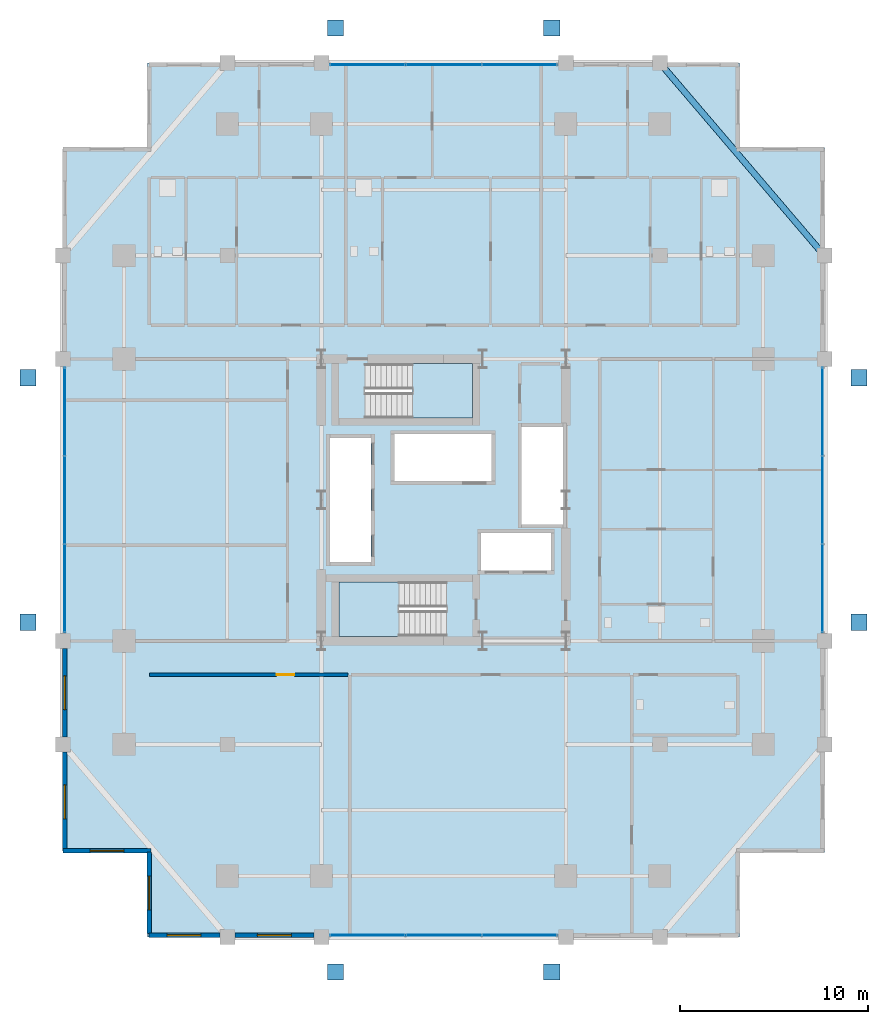
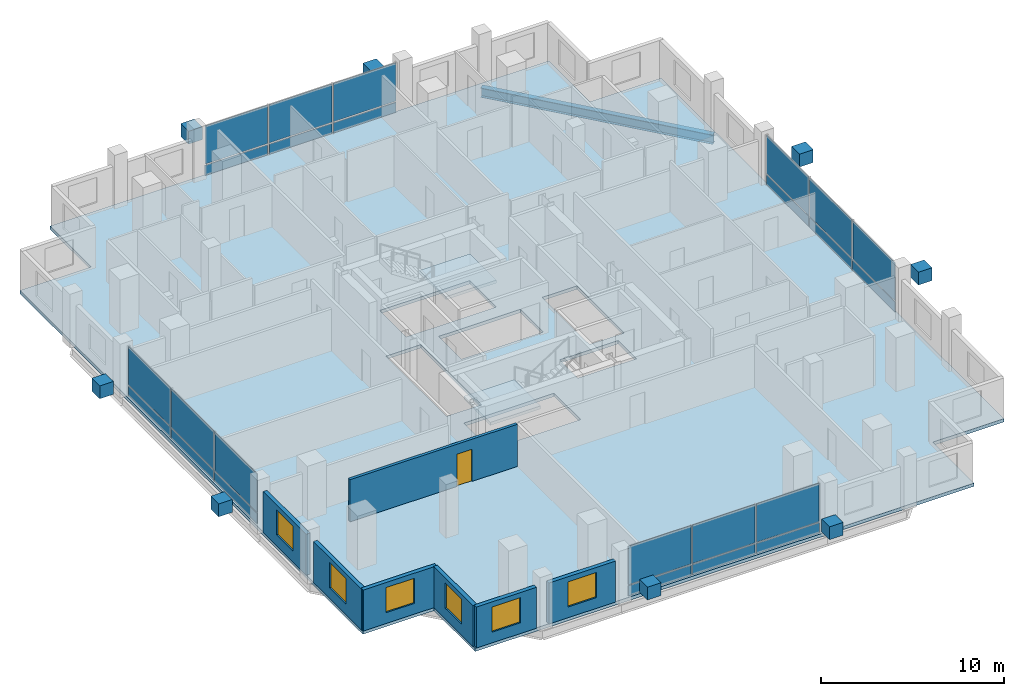
# One storey, part 13 of 19: 32 plates, 7 walls, 6 windows, 3 slabs, 1 beam, 1 door, 7 openings, 6 elements without a shape of their own.
"""IFC4 building model written with IfcOpenShell, lengths in metres."""

from ifc_helpers import new_model, si_unit, direction, frame, frame_2d, origin, origin_2d, place, context, subcontext, project, spatial, polyline, rectangle, i_section, outline, extrude, material, layer, layer_set, material_profile, profile_set, type_object, element, fill, aggregate, save


model = new_model("IFC4")

# Units and contexts
model_context = context("Model", 3, precision=1e-05, world=origin(), true_north=direction((0.0, 1.0)))
body_context = subcontext(model_context, "Body", "Model", "MODEL_VIEW")
ifc_project = project(units=[si_unit("LENGTHUNIT", "METRE"), si_unit("AREAUNIT", "SQUARE_METRE"), si_unit("VOLUMEUNIT", "CUBIC_METRE"), si_unit("PLANEANGLEUNIT", "RADIAN"), si_unit("MASSUNIT", "GRAM", prefix="KILO")], contexts=[model_context])

# Site, building, storey
site_placement = place(None, origin())
site = spatial("IfcSite", under=ifc_project, at=site_placement, CompositionType="ELEMENT")
building_placement = place(site_placement, origin())
building = spatial("IfcBuilding", under=site, at=building_placement, Name="Barlavira Tower and Art Museum", CompositionType="ELEMENT")
storey_placement = place(building_placement, frame((0.0, 0.0, 113.39990234375)))
storey = spatial("IfcBuildingStorey", under=building, at=storey_placement, Name="L28", CompositionType="ELEMENT", Elevation=113.39990234375)

# Beam
ifc_material_1 = material(Name="Steel S355", Category="steel")
ifc_material_profile = material_profile(ifc_material_1, i_section(OverallWidth=0.327880859375, OverallDepth=0.62890625, WebThickness=0.013916015625, FlangeThickness=0.021484375, at=origin_2d()), Name="W610x174.0")
ifc_profile_set = profile_set([ifc_material_profile], Name="Steel S355")
beam_type = type_object("IfcBeamType", Name="Perimeter Spandrel Edge Beam W610x174 Steel S355", PredefinedType="SPANDREL", material=ifc_profile_set)
beam_placement = place(storey_placement, frame((20.25, 13.0, -0.534423828125), z_axis=(-0.649262379928, 0.760564502202, 0.0), x_axis=(-0.760564502202, -0.649262379928, 0.0)))
element("IfcBeam", 1, at=beam_placement, inside=storey, type_object=beam_type, Name="L28 Spandrel 8", PredefinedType="SPANDREL", context=body_context, shape_type="SweptSolid", body=[
    extrude(i_section(OverallWidth=0.327880859375, OverallDepth=0.62890625, WebThickness=0.013916015625, FlangeThickness=0.021484375, at=origin_2d()), origin(), (0.0, 0.0, 1.0), 13.476806640625),
])

# Curtain wall, plates
ifc_material_2 = material(Name="Low-iron coastal laminated glass", Category="glass")
ifc_layer_1 = layer(ifc_material_2, 0.18994140625, Name="Low-iron coastal laminated glass")
ifc_layer_set_1 = layer_set([ifc_layer_1], Name="Low-iron coastal laminated glass")
curtain_wall_type = type_object("IfcCurtainWallType", Name="Pale-Metal Unitised Curtain Wall Zone 2", PredefinedType="NOTDEFINED", material=ifc_layer_set_1)
curtain_wall_1_placement = place(storey_placement, origin())
curtain_wall_1 = element("IfcCurtainWall", 2, at=curtain_wall_1_placement, inside=storey, type_object=curtain_wall_type, Name="L28 Curtain Wall CW2-L28-S-B3", PredefinedType="NOTDEFINED")
ifc_material_3 = material(Name="Pale anodised aluminium", Category="aluminium")
ifc_layer_2 = layer(ifc_material_3, 0.044921875, Name="Pale anodised aluminium")
ifc_layer_set_2 = layer_set([ifc_layer_2], Name="Pale anodised aluminium")
plate_type_1 = type_object("IfcPlateType", Name="Curtain Wall Pale-Metal Spandrel Panel 45", PredefinedType="CURTAIN_PANEL", material=ifc_layer_set_2)
plate_1_placement = place(storey_placement, frame((-4.05322265625, -23.14990234375, 0.0400390625), z_axis=(0.0, 0.0, 1.0), x_axis=(1.0, 0.0, 0.0)))
plate_1 = element("IfcPlate", 3, at=plate_1_placement, type_object=plate_type_1, Name="CW2-L28-S-B3 Spandrel Panel 0", PredefinedType="CURTAIN_PANEL", context=body_context, shape_type="SweptSolid", body=[
    extrude(rectangle(XDim=3.953369140625, YDim=0.044921875, at=origin_2d()), origin(), (0.0, 0.0, 1.0), 0.6640625),
])
plate_2_placement = place(storey_placement, frame((0.0, -23.14990234375, 0.0400390625), z_axis=(0.0, 0.0, 1.0), x_axis=(1.0, 0.0, 0.0)))
plate_2 = element("IfcPlate", 4, at=plate_2_placement, type_object=plate_type_1, Name="CW2-L28-S-B3 Spandrel Panel 1", PredefinedType="CURTAIN_PANEL", context=body_context, shape_type="SweptSolid", body=[
    extrude(rectangle(XDim=3.953369140625, YDim=0.044921875, at=origin_2d()), origin(), (0.0, 0.0, 1.0), 0.6640625),
])
plate_3_placement = place(storey_placement, frame((4.05322265625, -23.14990234375, 0.0400390625), z_axis=(0.0, 0.0, 1.0), x_axis=(1.0, 0.0, 0.0)))
plate_3 = element("IfcPlate", 5, at=plate_3_placement, type_object=plate_type_1, Name="CW2-L28-S-B3 Spandrel Panel 2", PredefinedType="CURTAIN_PANEL", context=body_context, shape_type="SweptSolid", body=[
    extrude(rectangle(XDim=3.953369140625, YDim=0.044921875, at=origin_2d()), origin(), (0.0, 0.0, 1.0), 0.6640625),
])

curtain_wall_2_placement = place(storey_placement, origin())
curtain_wall_2 = element("IfcCurtainWall", 6, at=curtain_wall_2_placement, inside=storey, type_object=curtain_wall_type, Name="L28 Curtain Wall CW2-L28-N-B3", PredefinedType="NOTDEFINED")
plate_4_placement = place(storey_placement, frame((4.05322265625, 23.14990234375, 0.0400390625), z_axis=(0.0, 0.0, 1.0), x_axis=(-1.0, 0.0, 0.0)))
plate_4 = element("IfcPlate", 7, at=plate_4_placement, type_object=plate_type_1, Name="CW2-L28-N-B3 Spandrel Panel 0", PredefinedType="CURTAIN_PANEL", context=body_context, shape_type="SweptSolid", body=[
    extrude(rectangle(XDim=3.953369140625, YDim=0.044921875, at=origin_2d()), origin(), (0.0, 0.0, 1.0), 0.6640625),
])
plate_5_placement = place(storey_placement, frame((0.0, 23.14990234375, 0.0400390625), z_axis=(0.0, 0.0, 1.0), x_axis=(-1.0, 0.0, 0.0)))
plate_5 = element("IfcPlate", 8, at=plate_5_placement, type_object=plate_type_1, Name="CW2-L28-N-B3 Spandrel Panel 1", PredefinedType="CURTAIN_PANEL", context=body_context, shape_type="SweptSolid", body=[
    extrude(rectangle(XDim=3.953369140625, YDim=0.044921875, at=origin_2d()), origin(), (0.0, 0.0, 1.0), 0.6640625),
])
plate_6_placement = place(storey_placement, frame((-4.05322265625, 23.14990234375, 0.0400390625), z_axis=(0.0, 0.0, 1.0), x_axis=(-1.0, 0.0, 0.0)))
plate_6 = element("IfcPlate", 9, at=plate_6_placement, type_object=plate_type_1, Name="CW2-L28-N-B3 Spandrel Panel 2", PredefinedType="CURTAIN_PANEL", context=body_context, shape_type="SweptSolid", body=[
    extrude(rectangle(XDim=3.953369140625, YDim=0.044921875, at=origin_2d()), origin(), (0.0, 0.0, 1.0), 0.6640625),
])

curtain_wall_3_placement = place(storey_placement, origin())
curtain_wall_3 = element("IfcCurtainWall", 10, at=curtain_wall_3_placement, inside=storey, type_object=curtain_wall_type, Name="L28 Curtain Wall CW2-L28-W-B3", PredefinedType="NOTDEFINED")
plate_7_placement = place(storey_placement, frame((-20.14990234375, 4.719970703125, 0.0400390625), z_axis=(0.0, 0.0, 1.0), x_axis=(0.0, -1.0, 0.0)))
plate_7 = element("IfcPlate", 11, at=plate_7_placement, type_object=plate_type_1, Name="CW2-L28-W-B3 Spandrel Panel 0", PredefinedType="CURTAIN_PANEL", context=body_context, shape_type="SweptSolid", body=[
    extrude(rectangle(XDim=4.6201171875, YDim=0.044921875, at=origin_2d()), origin(), (0.0, 0.0, 1.0), 0.6640625),
])
plate_8_placement = place(storey_placement, frame((-20.14990234375, 0.0, 0.0400390625), z_axis=(0.0, 0.0, 1.0), x_axis=(0.0, -1.0, 0.0)))
plate_8 = element("IfcPlate", 12, at=plate_8_placement, type_object=plate_type_1, Name="CW2-L28-W-B3 Spandrel Panel 1", PredefinedType="CURTAIN_PANEL", context=body_context, shape_type="SweptSolid", body=[
    extrude(rectangle(XDim=4.6201171875, YDim=0.044921875, at=origin_2d()), origin(), (0.0, 0.0, 1.0), 0.6640625),
])
plate_9_placement = place(storey_placement, frame((-20.14990234375, -4.719970703125, 0.0400390625), z_axis=(0.0, 0.0, 1.0), x_axis=(0.0, -1.0, 0.0)))
plate_9 = element("IfcPlate", 13, at=plate_9_placement, type_object=plate_type_1, Name="CW2-L28-W-B3 Spandrel Panel 2", PredefinedType="CURTAIN_PANEL", context=body_context, shape_type="SweptSolid", body=[
    extrude(rectangle(XDim=4.6201171875, YDim=0.044921875, at=origin_2d()), origin(), (0.0, 0.0, 1.0), 0.6640625),
])

curtain_wall_4_placement = place(storey_placement, origin())
curtain_wall_4 = element("IfcCurtainWall", 14, at=curtain_wall_4_placement, inside=storey, type_object=curtain_wall_type, Name="L28 Curtain Wall CW2-L28-E-B3", PredefinedType="NOTDEFINED")
plate_10_placement = place(storey_placement, frame((20.14990234375, -4.719970703125, 0.0400390625), z_axis=(0.0, 0.0, 1.0), x_axis=(0.0, 1.0, 0.0)))
plate_10 = element("IfcPlate", 15, at=plate_10_placement, type_object=plate_type_1, Name="CW2-L28-E-B3 Spandrel Panel 0", PredefinedType="CURTAIN_PANEL", context=body_context, shape_type="SweptSolid", body=[
    extrude(rectangle(XDim=4.6201171875, YDim=0.044921875, at=origin_2d()), origin(), (0.0, 0.0, 1.0), 0.6640625),
])
plate_11_placement = place(storey_placement, frame((20.14990234375, 0.0, 0.0400390625), z_axis=(0.0, 0.0, 1.0), x_axis=(0.0, 1.0, 0.0)))
plate_11 = element("IfcPlate", 16, at=plate_11_placement, type_object=plate_type_1, Name="CW2-L28-E-B3 Spandrel Panel 1", PredefinedType="CURTAIN_PANEL", context=body_context, shape_type="SweptSolid", body=[
    extrude(rectangle(XDim=4.6201171875, YDim=0.044921875, at=origin_2d()), origin(), (0.0, 0.0, 1.0), 0.6640625),
])
plate_12_placement = place(storey_placement, frame((20.14990234375, 4.719970703125, 0.0400390625), z_axis=(0.0, 0.0, 1.0), x_axis=(0.0, 1.0, 0.0)))
plate_12 = element("IfcPlate", 17, at=plate_12_placement, type_object=plate_type_1, Name="CW2-L28-E-B3 Spandrel Panel 2", PredefinedType="CURTAIN_PANEL", context=body_context, shape_type="SweptSolid", body=[
    extrude(rectangle(XDim=4.6201171875, YDim=0.044921875, at=origin_2d()), origin(), (0.0, 0.0, 1.0), 0.6640625),
])

# Plate
ifc_layer_3 = layer(ifc_material_2, 0.028076171875, Name="Low-iron coastal laminated glass")
ifc_layer_set_3 = layer_set([ifc_layer_3], Name="Low-iron coastal laminated glass")
plate_type_2 = type_object("IfcPlateType", Name="Curtain Wall Vision Glazing Panel 28", PredefinedType="CURTAIN_PANEL", material=ifc_layer_set_3)
plate_13_placement = place(storey_placement, frame((-4.05322265625, -23.14990234375, 0.7841796875), z_axis=(0.0, 0.0, 1.0), x_axis=(1.0, 0.0, 0.0)))
plate_13 = element("IfcPlate", 18, at=plate_13_placement, type_object=plate_type_2, Name="CW2-L28-S-B3 Vision Glass Panel 0", PredefinedType="CURTAIN_PANEL", context=body_context, shape_type="SweptSolid", body=[
    extrude(rectangle(XDim=3.953369140625, YDim=0.028076171875, at=origin_2d()), origin(), (0.0, 0.0, 1.0), 2.555908203125),
])

plate_14_placement = place(storey_placement, frame((0.0, -23.14990234375, 0.7841796875), z_axis=(0.0, 0.0, 1.0), x_axis=(1.0, 0.0, 0.0)))
plate_14 = element("IfcPlate", 19, at=plate_14_placement, type_object=plate_type_2, Name="CW2-L28-S-B3 Vision Glass Panel 1", PredefinedType="CURTAIN_PANEL", context=body_context, shape_type="SweptSolid", body=[
    extrude(rectangle(XDim=3.953369140625, YDim=0.028076171875, at=origin_2d()), origin(), (0.0, 0.0, 1.0), 2.555908203125),
])

plate_15_placement = place(storey_placement, frame((4.05322265625, -23.14990234375, 0.7841796875), z_axis=(0.0, 0.0, 1.0), x_axis=(1.0, 0.0, 0.0)))
plate_15 = element("IfcPlate", 20, at=plate_15_placement, type_object=plate_type_2, Name="CW2-L28-S-B3 Vision Glass Panel 2", PredefinedType="CURTAIN_PANEL", context=body_context, shape_type="SweptSolid", body=[
    extrude(rectangle(XDim=3.953369140625, YDim=0.028076171875, at=origin_2d()), origin(), (0.0, 0.0, 1.0), 2.555908203125),
])

aggregate(curtain_wall_1, [plate_1, plate_13, plate_2, plate_14, plate_3, plate_15])

plate_16_placement = place(storey_placement, frame((4.05322265625, 23.14990234375, 0.7841796875), z_axis=(0.0, 0.0, 1.0), x_axis=(-1.0, 0.0, 0.0)))
plate_16 = element("IfcPlate", 21, at=plate_16_placement, type_object=plate_type_2, Name="CW2-L28-N-B3 Vision Glass Panel 0", PredefinedType="CURTAIN_PANEL", context=body_context, shape_type="SweptSolid", body=[
    extrude(rectangle(XDim=3.953369140625, YDim=0.028076171875, at=origin_2d()), origin(), (0.0, 0.0, 1.0), 2.555908203125),
])

plate_17_placement = place(storey_placement, frame((0.0, 23.14990234375, 0.7841796875), z_axis=(0.0, 0.0, 1.0), x_axis=(-1.0, 0.0, 0.0)))
plate_17 = element("IfcPlate", 22, at=plate_17_placement, type_object=plate_type_2, Name="CW2-L28-N-B3 Vision Glass Panel 1", PredefinedType="CURTAIN_PANEL", context=body_context, shape_type="SweptSolid", body=[
    extrude(rectangle(XDim=3.953369140625, YDim=0.028076171875, at=origin_2d()), origin(), (0.0, 0.0, 1.0), 2.555908203125),
])

plate_18_placement = place(storey_placement, frame((-4.05322265625, 23.14990234375, 0.7841796875), z_axis=(0.0, 0.0, 1.0), x_axis=(-1.0, 0.0, 0.0)))
plate_18 = element("IfcPlate", 23, at=plate_18_placement, type_object=plate_type_2, Name="CW2-L28-N-B3 Vision Glass Panel 2", PredefinedType="CURTAIN_PANEL", context=body_context, shape_type="SweptSolid", body=[
    extrude(rectangle(XDim=3.953369140625, YDim=0.028076171875, at=origin_2d()), origin(), (0.0, 0.0, 1.0), 2.555908203125),
])

aggregate(curtain_wall_2, [plate_4, plate_16, plate_5, plate_17, plate_6, plate_18])

plate_19_placement = place(storey_placement, frame((-20.14990234375, 4.719970703125, 0.7841796875), z_axis=(0.0, 0.0, 1.0), x_axis=(0.0, -1.0, 0.0)))
plate_19 = element("IfcPlate", 24, at=plate_19_placement, type_object=plate_type_2, Name="CW2-L28-W-B3 Vision Glass Panel 0", PredefinedType="CURTAIN_PANEL", context=body_context, shape_type="SweptSolid", body=[
    extrude(rectangle(XDim=4.6201171875, YDim=0.028076171875, at=origin_2d()), origin(), (0.0, 0.0, 1.0), 2.555908203125),
])

plate_20_placement = place(storey_placement, frame((-20.14990234375, 0.0, 0.7841796875), z_axis=(0.0, 0.0, 1.0), x_axis=(0.0, -1.0, 0.0)))
plate_20 = element("IfcPlate", 25, at=plate_20_placement, type_object=plate_type_2, Name="CW2-L28-W-B3 Vision Glass Panel 1", PredefinedType="CURTAIN_PANEL", context=body_context, shape_type="SweptSolid", body=[
    extrude(rectangle(XDim=4.6201171875, YDim=0.028076171875, at=origin_2d()), origin(), (0.0, 0.0, 1.0), 2.555908203125),
])

plate_21_placement = place(storey_placement, frame((-20.14990234375, -4.719970703125, 0.7841796875), z_axis=(0.0, 0.0, 1.0), x_axis=(0.0, -1.0, 0.0)))
plate_21 = element("IfcPlate", 26, at=plate_21_placement, type_object=plate_type_2, Name="CW2-L28-W-B3 Vision Glass Panel 2", PredefinedType="CURTAIN_PANEL", context=body_context, shape_type="SweptSolid", body=[
    extrude(rectangle(XDim=4.6201171875, YDim=0.028076171875, at=origin_2d()), origin(), (0.0, 0.0, 1.0), 2.555908203125),
])

aggregate(curtain_wall_3, [plate_7, plate_19, plate_8, plate_20, plate_9, plate_21])

plate_22_placement = place(storey_placement, frame((20.14990234375, -4.719970703125, 0.7841796875), z_axis=(0.0, 0.0, 1.0), x_axis=(0.0, 1.0, 0.0)))
plate_22 = element("IfcPlate", 27, at=plate_22_placement, type_object=plate_type_2, Name="CW2-L28-E-B3 Vision Glass Panel 0", PredefinedType="CURTAIN_PANEL", context=body_context, shape_type="SweptSolid", body=[
    extrude(rectangle(XDim=4.6201171875, YDim=0.028076171875, at=origin_2d()), origin(), (0.0, 0.0, 1.0), 2.555908203125),
])

plate_23_placement = place(storey_placement, frame((20.14990234375, 0.0, 0.7841796875), z_axis=(0.0, 0.0, 1.0), x_axis=(0.0, 1.0, 0.0)))
plate_23 = element("IfcPlate", 28, at=plate_23_placement, type_object=plate_type_2, Name="CW2-L28-E-B3 Vision Glass Panel 1", PredefinedType="CURTAIN_PANEL", context=body_context, shape_type="SweptSolid", body=[
    extrude(rectangle(XDim=4.6201171875, YDim=0.028076171875, at=origin_2d()), origin(), (0.0, 0.0, 1.0), 2.555908203125),
])

plate_24_placement = place(storey_placement, frame((20.14990234375, 4.719970703125, 0.7841796875), z_axis=(0.0, 0.0, 1.0), x_axis=(0.0, 1.0, 0.0)))
plate_24 = element("IfcPlate", 29, at=plate_24_placement, type_object=plate_type_2, Name="CW2-L28-E-B3 Vision Glass Panel 2", PredefinedType="CURTAIN_PANEL", context=body_context, shape_type="SweptSolid", body=[
    extrude(rectangle(XDim=4.6201171875, YDim=0.028076171875, at=origin_2d()), origin(), (0.0, 0.0, 1.0), 2.555908203125),
])

aggregate(curtain_wall_4, [plate_10, plate_22, plate_11, plate_23, plate_12, plate_24])

# Plates
ifc_layer_4 = layer(ifc_material_1, 0.860107421875, Name="Steel S355")
ifc_layer_set_4 = layer_set([ifc_layer_4], Name="Steel S355")
plate_type_3 = type_object("IfcPlateType", Name="Exoskeleton Solid Steel Node Cap Plate Assembly Type 2 Steel S355", PredefinedType="USERDEFINED", material=ifc_layer_set_4)
for number, where, z_axis, x_axis, name in (
    (30, (-5.75, -25.10009765625, 1.25), (0.0, 0.0, 1.0), (1.0, 0.0, 0.0), "Exoskeleton Diamond Node S1 ND-L28-0284"),
    (31, (5.75, -25.10009765625, 1.25), (0.0, 0.0, 1.0), (1.0, 0.0, 0.0), "Exoskeleton Diamond Node S2 ND-L28-0285"),
    (32, (-5.75, 25.10009765625, 1.25), (0.0, 0.0, 1.0), (1.0, 0.0, 0.0), "Exoskeleton Diamond Node N1 ND-L28-0292"),
    (33, (5.75, 25.10009765625, 1.25), (0.0, 0.0, 1.0), (1.0, 0.0, 0.0), "Exoskeleton Diamond Node N2 ND-L28-0293"),
    (34, (-22.10009765625, -6.5, 1.25), (0.0, 0.0, 1.0), (1.0, 0.0, 0.0), "Exoskeleton Diamond Node W1 ND-L28-0300"),
    (35, (-22.10009765625, 6.5, 1.25), (0.0, 0.0, 1.0), (1.0, 0.0, 0.0), "Exoskeleton Diamond Node W2 ND-L28-0301"),
    (36, (22.10009765625, -6.5, 1.25), (0.0, 0.0, 1.0), (1.0, 0.0, 0.0), "Exoskeleton Diamond Node E1 ND-L28-0308"),
    (37, (22.10009765625, 6.5, 1.25), (0.0, 0.0, 1.0), (1.0, 0.0, 0.0), "Exoskeleton Diamond Node E2 ND-L28-0309"),
):
    element("IfcPlate", number, at=place(storey_placement, frame(where, z_axis=z_axis, x_axis=x_axis)), inside=storey, type_object=plate_type_3, Name=name, ObjectType="FLANGE_PLATE", PredefinedType="USERDEFINED", context=body_context, shape_type="SweptSolid", body=[
        extrude(rectangle(XDim=0.860107421875, YDim=0.860107421875, at=origin_2d()), origin(), (0.0, 0.0, 1.0), 0.860107421875),
    ])

# Stair, slab
ifc_material_4 = material(Name="Concrete C45", Category="concrete")
stair_type_1 = type_object("IfcStairType", Name="Tower North Dog-Leg Exit Stair Assembly Concrete C45", PredefinedType="TWO_QUARTER_TURN_STAIR", material=ifc_material_4)
stair_1_placement = place(storey_placement, origin())
stair_1 = element("IfcStair", 38, at=stair_1_placement, inside=storey, type_object=stair_type_1, Name="L28 Tower North Exit Stair ST-T2", PredefinedType="TWO_QUARTER_TURN_STAIR")
ifc_layer_5 = layer(ifc_material_4, 0.199951171875, Name="Concrete C45")
ifc_layer_set_5 = layer_set([ifc_layer_5], Name="Concrete C45")
slab_type_1 = type_object("IfcSlabType", Name="Tower North Dog-Leg Exit Stair Half-Landing Slab 200 Concrete C45", PredefinedType="LANDING", material=ifc_layer_set_5)
slab_1_placement = place(storey_placement, frame((0.0, 0.0, 1.60009765625)))
slab_1 = element("IfcSlab", 39, at=slab_1_placement, type_object=slab_type_1, Name="ST-T2 landing 1", PredefinedType="LANDING", context=body_context, shape_type="SweptSolid", body=[
    extrude(outline(polyline([(-1.64990234375, 4.35009765625), (1.530029296875, 4.35009765625), (1.530029296875, 7.25), (-1.64990234375, 7.25), (-1.64990234375, 4.35009765625)])), origin(), (0.0, 0.0, 1.0), 0.199951171875),
])
aggregate(stair_1, [slab_1])

stair_type_2 = type_object("IfcStairType", Name="Tower South Dog-Leg Exit Stair Assembly Concrete C45", PredefinedType="TWO_QUARTER_TURN_STAIR", material=ifc_material_4)
stair_2_placement = place(storey_placement, origin())
stair_2 = element("IfcStair", 40, at=stair_2_placement, inside=storey, type_object=stair_type_2, Name="L28 Tower South Exit Stair ST-T1", PredefinedType="TWO_QUARTER_TURN_STAIR")
ifc_layer_6 = layer(ifc_material_4, 0.199951171875, Name="Concrete C45")
ifc_layer_set_6 = layer_set([ifc_layer_6], Name="Concrete C45")
slab_type_2 = type_object("IfcSlabType", Name="Tower South Dog-Leg Exit Stair Half-Landing Slab 200 Concrete C45", PredefinedType="LANDING", material=ifc_layer_set_6)
slab_2_placement = place(storey_placement, frame((0.0, 0.0, 1.60009765625)))
slab_2 = element("IfcSlab", 41, at=slab_2_placement, type_object=slab_type_2, Name="ST-T1 landing 1", PredefinedType="LANDING", context=body_context, shape_type="SweptSolid", body=[
    extrude(outline(polyline([(-2.3701171875, -4.35009765625), (-5.550048828125, -4.35009765625), (-5.550048828125, -7.25), (-2.3701171875, -7.25), (-2.3701171875, -4.35009765625)])), origin(), (0.0, 0.0, 1.0), 0.199951171875),
])
aggregate(stair_2, [slab_2])

# Slab
ifc_material_5 = material(Name="Concrete C50", Category="concrete")
ifc_layer_7 = layer(ifc_material_5, 0.2099609375, Name="Concrete C50")
ifc_layer_set_7 = layer_set([ifc_layer_7], Name="Concrete C50")
slab_type_3 = type_object("IfcSlabType", Name="Zone 2 Residential Composite Slab 210 Concrete C50", PredefinedType="FLOOR", material=ifc_layer_set_7)
slab_3_placement = place(storey_placement, frame((0.0, 0.0, -0.219970703125)))
element("IfcSlab", 42, at=slab_3_placement, inside=storey, type_object=slab_type_3, Name="L28 Tower Floor Slab", PredefinedType="FLOOR", context=body_context, shape_type="SweptSolid", body=[
    extrude(outline(polyline([(-15.75, -23.25), (15.75, -23.25), (15.75, -18.75), (20.25, -18.75), (20.25, 18.75), (15.75, 18.75), (15.75, 23.25), (-15.75, 23.25), (-15.75, 18.75), (-20.25, 18.75), (-20.25, -18.75), (-15.75, -18.75), (-15.75, -23.25)]), holes=[polyline([(0.14990234375, -4.35009765625), (-5.550048828125, -4.35009765625), (-5.550048828125, -7.25), (0.14990234375, -7.25), (0.14990234375, -4.35009765625)]), polyline([(-4.169921875, 4.35009765625), (1.530029296875, 4.35009765625), (1.530029296875, 7.25), (-4.169921875, 7.25), (-4.169921875, 4.35009765625)]), polyline([(-6.050048828125, -3.31005859375), (-3.85009765625, -3.31005859375), (-3.85009765625, 3.31005859375), (-6.050048828125, 3.31005859375), (-6.050048828125, -3.31005859375)]), polyline([(4.14990234375, -1.2900390625), (6.35009765625, -1.2900390625), (6.35009765625, 3.889892578125), (4.14990234375, 3.889892578125), (4.14990234375, -1.2900390625)]), polyline([(-2.6201171875, 1.0), (2.56005859375, 1.0), (2.56005859375, 3.5), (-2.6201171875, 3.5), (-2.6201171875, 1.0)]), polyline([(2.0, -3.75), (5.699951171875, -3.75), (5.699951171875, -1.75), (2.0, -1.75), (2.0, -3.75)])]), origin(), (0.0, 0.0, 1.0), 0.219970703125),
])

# Wall, opening, door
ifc_material_6 = material(Name="Gypsum acoustic stud partition", Category="gypsum")
ifc_layer_8 = layer(ifc_material_6, 0.179931640625, Name="Gypsum acoustic stud partition")
ifc_layer_set_8 = layer_set([ifc_layer_8], Name="Gypsum acoustic stud partition")
wall_type_1 = type_object("IfcWallType", Name="Inter-Tenancy Party Partition Wall 180", PredefinedType="PARTITIONING", material=ifc_layer_set_8)
wall_1_placement = place(storey_placement, frame((-15.64990234375, -9.300048828125, 0.0), z_axis=(0.0, 0.0, 1.0), x_axis=(1.0, 0.0, 0.0)))
wall_1 = element("IfcWall", 43, at=wall_1_placement, inside=storey, type_object=wall_type_1, Name="L28 Partition Wall 22", PredefinedType="PARTITIONING", context=body_context, shape_type="SweptSolid", body=[
    extrude(rectangle(XDim=10.56982421875, YDim=0.179931640625, at=frame_2d((5.284912109375, 0.0))), origin(), (0.0, 0.0, 1.0), 2.816162109375),
])
opening_1_placement = place(wall_1_placement, frame((6.764892578125, 0.0, 0.0)))
opening_1 = element("IfcOpeningElement", 44, at=opening_1_placement, cuts=wall_1, Name="Opening FD-60", PredefinedType="OPENING", context=body_context, shape_type="SweptSolid", body=[
    extrude(rectangle(XDim=0.949951171875, YDim=2.14990234375, at=frame_2d((0.47509765625, 1.074951171875))), frame((0.0, 0.10009765625, 0.0), z_axis=(0.0, -1.0, 0.0), x_axis=(1.0, 0.0, 0.0)), (0.0, 0.0, 1.0), 0.199951171875),
])
ifc_material_7 = material(Name="Brushed stainless steel", Category="steel")
door_type = type_object("IfcDoorType", Name="Apartment Entrance and Riser Fire Door 950x2150 FD60S", OperationType="NOTDEFINED", PredefinedType="DOOR", material=ifc_material_7)
door_placement = place(opening_1_placement, origin())
door = element("IfcDoor", 45, at=door_placement, inside=storey, type_object=door_type, Name="Resident Ocean-View Fitness Studio Door", OperationType="SINGLE_SWING_RIGHT", OverallHeight=2.14990234375, OverallWidth=0.949951171875, PredefinedType="DOOR", context=body_context, shape_type="SweptSolid", body=[
    extrude(rectangle(XDim=0.949951171875, YDim=2.14990234375, at=frame_2d((0.47509765625, 1.074951171875))), frame((0.0, 0.02490234375, 0.0), z_axis=(0.0, -1.0, 0.0), x_axis=(1.0, 0.0, 0.0)), (0.0, 0.0, 1.0), 0.050048828125),
])
fill(opening_1, door)

# Wall, opening, window
ifc_material_8 = material(Name="Precast concrete C40", Category="concrete")
ifc_layer_9 = layer(ifc_material_8, 0.25, Name="Precast concrete C40")
ifc_layer_set_9 = layer_set([ifc_layer_9], Name="Precast concrete C40")
wall_type_2 = type_object("IfcWallType", Name="Notched Corner Spandrel Wall 250 Precast Concrete C40", PredefinedType="SOLIDWALL", material=ifc_layer_set_9)
wall_2_placement = place(storey_placement, frame((-15.675048828125, -23.14990234375, 0.0), z_axis=(0.0, 0.0, 1.0), x_axis=(1.0, 0.0, 0.0)))
wall_2 = element("IfcWall", 46, at=wall_2_placement, inside=storey, type_object=wall_type_2, Name="L28 Coastal Facade Pier Wall CW2-L28-S-1", PredefinedType="SOLIDWALL", context=body_context, shape_type="SweptSolid", body=[
    extrude(rectangle(XDim=3.780029296875, YDim=0.25, at=frame_2d((1.89013671875, 0.0))), origin(), (0.0, 0.0, 1.0), 2.736083984375),
])
opening_2_placement = place(wall_2_placement, frame((0.968017578125, 0.0, 0.719970703125)))
opening_2 = element("IfcOpeningElement", 47, at=opening_2_placement, cuts=wall_2, Name="Opening WN-01", PredefinedType="OPENING", context=body_context, shape_type="SweptSolid", body=[
    extrude(rectangle(XDim=1.800048828125, YDim=1.679931640625, at=frame_2d((0.89990234375, 0.83984375))), frame((0.0, 0.135009765625, 0.0), z_axis=(0.0, -1.0, 0.0), x_axis=(1.0, 0.0, 0.0)), (0.0, 0.0, 1.0), 0.27001953125),
])
window_type = type_object("IfcWindowType", Name="Recessed Notch Corner Punch Window 1800x1680", PartitioningType="SINGLE_PANEL", PredefinedType="WINDOW", material=ifc_material_2)
window_1_placement = place(opening_2_placement, origin())
window_1 = element("IfcWindow", 48, at=window_1_placement, inside=storey, type_object=window_type, Name="L28 Punched Facade Window EWP-CW2-L28-S-1-1", OverallHeight=1.679931640625, OverallWidth=1.800048828125, PartitioningType="SINGLE_PANEL", PredefinedType="WINDOW", context=body_context, shape_type="SweptSolid", body=[
    extrude(rectangle(XDim=1.800048828125, YDim=1.679931640625, at=frame_2d((0.89990234375, 0.83984375))), frame((0.0, 0.030029296875, 0.0), z_axis=(0.0, -1.0, 0.0), x_axis=(1.0, 0.0, 0.0)), (0.0, 0.0, 1.0), 0.06005859375),
])
fill(opening_2, window_1)

wall_3_placement = place(storey_placement, frame((-11.10498046875, -23.14990234375, 0.0), z_axis=(0.0, 0.0, 1.0), x_axis=(1.0, 0.0, 0.0)))
wall_3 = element("IfcWall", 49, at=wall_3_placement, inside=storey, type_object=wall_type_2, Name="L28 Coastal Facade Pier Wall CW2-L28-S-2", PredefinedType="SOLIDWALL", context=body_context, shape_type="SweptSolid", body=[
    extrude(rectangle(XDim=4.2099609375, YDim=0.25, at=frame_2d((2.10498046875, 0.0))), origin(), (0.0, 0.0, 1.0), 2.736083984375),
])
opening_3_placement = place(wall_3_placement, frame((1.205078125, 0.0, 0.719970703125)))
opening_3 = element("IfcOpeningElement", 50, at=opening_3_placement, cuts=wall_3, Name="Opening WN-01", PredefinedType="OPENING", context=body_context, shape_type="SweptSolid", body=[
    extrude(rectangle(XDim=1.800048828125, YDim=1.679931640625, at=frame_2d((0.89990234375, 0.83984375))), frame((0.0, 0.135009765625, 0.0), z_axis=(0.0, -1.0, 0.0), x_axis=(1.0, 0.0, 0.0)), (0.0, 0.0, 1.0), 0.27001953125),
])
window_2_placement = place(opening_3_placement, origin())
window_2 = element("IfcWindow", 51, at=window_2_placement, inside=storey, type_object=window_type, Name="L28 Punched Facade Window EWP-CW2-L28-S-2-1", OverallHeight=1.679931640625, OverallWidth=1.800048828125, PartitioningType="SINGLE_PANEL", PredefinedType="WINDOW", context=body_context, shape_type="SweptSolid", body=[
    extrude(rectangle(XDim=1.800048828125, YDim=1.679931640625, at=frame_2d((0.89990234375, 0.83984375))), frame((0.0, 0.030029296875, 0.0), z_axis=(0.0, -1.0, 0.0), x_axis=(1.0, 0.0, 0.0)), (0.0, 0.0, 1.0), 0.06005859375),
])
fill(opening_3, window_2)

wall_4_placement = place(storey_placement, frame((-20.14990234375, -7.89501953125, 0.0), z_axis=(0.0, 0.0, 1.0), x_axis=(0.0, -1.0, 0.0)))
wall_4 = element("IfcWall", 52, at=wall_4_placement, inside=storey, type_object=wall_type_2, Name="L28 Coastal Facade Pier Wall CW2-L28-W-4", PredefinedType="SOLIDWALL", context=body_context, shape_type="SweptSolid", body=[
    extrude(rectangle(XDim=4.7099609375, YDim=0.25, at=frame_2d((2.35498046875, 0.0))), origin(), (0.0, 0.0, 1.0), 2.736083984375),
])
opening_4_placement = place(wall_4_placement, frame((1.455078125, 0.0, 0.719970703125)))
opening_4 = element("IfcOpeningElement", 53, at=opening_4_placement, cuts=wall_4, Name="Opening WN-01", PredefinedType="OPENING", context=body_context, shape_type="SweptSolid", body=[
    extrude(rectangle(XDim=1.800048828125, YDim=1.679931640625, at=frame_2d((0.89990234375, 0.83984375))), frame((0.0, 0.135009765625, 0.0), z_axis=(0.0, -1.0, 0.0), x_axis=(1.0, 0.0, 0.0)), (0.0, 0.0, 1.0), 0.27001953125),
])
window_3_placement = place(opening_4_placement, origin())
window_3 = element("IfcWindow", 54, at=window_3_placement, inside=storey, type_object=window_type, Name="L28 Punched Facade Window EWP-CW2-L28-W-4-1", OverallHeight=1.679931640625, OverallWidth=1.800048828125, PartitioningType="SINGLE_PANEL", PredefinedType="WINDOW", context=body_context, shape_type="SweptSolid", body=[
    extrude(rectangle(XDim=1.800048828125, YDim=1.679931640625, at=frame_2d((0.89990234375, 0.83984375))), frame((0.0, 0.030029296875, 0.0), z_axis=(0.0, -1.0, 0.0), x_axis=(1.0, 0.0, 0.0)), (0.0, 0.0, 1.0), 0.06005859375),
])
fill(opening_4, window_3)

wall_5_placement = place(storey_placement, frame((-20.14990234375, -13.39501953125, 0.0), z_axis=(0.0, 0.0, 1.0), x_axis=(0.0, -1.0, 0.0)))
wall_5 = element("IfcWall", 55, at=wall_5_placement, inside=storey, type_object=wall_type_2, Name="L28 Coastal Facade Pier Wall CW2-L28-W-5", PredefinedType="SOLIDWALL", context=body_context, shape_type="SweptSolid", body=[
    extrude(rectangle(XDim=5.280029296875, YDim=0.25, at=frame_2d((2.64013671875, 0.0))), origin(), (0.0, 0.0, 1.0), 2.736083984375),
])
opening_5_placement = place(wall_5_placement, frame((1.762939453125, 0.0, 0.719970703125)))
opening_5 = element("IfcOpeningElement", 56, at=opening_5_placement, cuts=wall_5, Name="Opening WN-01", PredefinedType="OPENING", context=body_context, shape_type="SweptSolid", body=[
    extrude(rectangle(XDim=1.800048828125, YDim=1.679931640625, at=frame_2d((0.89990234375, 0.83984375))), frame((0.0, 0.135009765625, 0.0), z_axis=(0.0, -1.0, 0.0), x_axis=(1.0, 0.0, 0.0)), (0.0, 0.0, 1.0), 0.27001953125),
])
window_4_placement = place(opening_5_placement, origin())
window_4 = element("IfcWindow", 57, at=window_4_placement, inside=storey, type_object=window_type, Name="L28 Punched Facade Window EWP-CW2-L28-W-5-1", OverallHeight=1.679931640625, OverallWidth=1.800048828125, PartitioningType="SINGLE_PANEL", PredefinedType="WINDOW", context=body_context, shape_type="SweptSolid", body=[
    extrude(rectangle(XDim=1.800048828125, YDim=1.679931640625, at=frame_2d((0.89990234375, 0.83984375))), frame((0.0, 0.030029296875, 0.0), z_axis=(0.0, -1.0, 0.0), x_axis=(1.0, 0.0, 0.0)), (0.0, 0.0, 1.0), 0.06005859375),
])
fill(opening_5, window_4)

wall_6_placement = place(storey_placement, frame((-20.22998046875, -18.64990234375, 0.0), z_axis=(0.0, 0.0, 1.0), x_axis=(1.0, 0.0, 0.0)))
wall_6 = element("IfcWall", 58, at=wall_6_placement, inside=storey, type_object=wall_type_2, Name="L28 Notch Corner Wall SW1", PredefinedType="SOLIDWALL", context=body_context, shape_type="SweptSolid", body=[
    extrude(rectangle(XDim=4.659912109375, YDim=0.25, at=frame_2d((2.330078125, 0.0))), origin(), (0.0, 0.0, 1.0), 2.736083984375),
])
opening_6_placement = place(wall_6_placement, frame((1.429931640625, 0.0, 0.719970703125)))
opening_6 = element("IfcOpeningElement", 59, at=opening_6_placement, cuts=wall_6, Name="Opening WN-01", PredefinedType="OPENING", context=body_context, shape_type="SweptSolid", body=[
    extrude(rectangle(XDim=1.800048828125, YDim=1.679931640625, at=frame_2d((0.89990234375, 0.83984375))), frame((0.0, 0.135009765625, 0.0), z_axis=(0.0, -1.0, 0.0), x_axis=(1.0, 0.0, 0.0)), (0.0, 0.0, 1.0), 0.27001953125),
])
window_5_placement = place(opening_6_placement, origin())
window_5 = element("IfcWindow", 60, at=window_5_placement, inside=storey, type_object=window_type, Name="L28 Punched Facade Window EW-NTC-L28-SW1-1", OverallHeight=1.679931640625, OverallWidth=1.800048828125, PartitioningType="SINGLE_PANEL", PredefinedType="WINDOW", context=body_context, shape_type="SweptSolid", body=[
    extrude(rectangle(XDim=1.800048828125, YDim=1.679931640625, at=frame_2d((0.89990234375, 0.83984375))), frame((0.0, 0.030029296875, 0.0), z_axis=(0.0, -1.0, 0.0), x_axis=(1.0, 0.0, 0.0)), (0.0, 0.0, 1.0), 0.06005859375),
])
fill(opening_6, window_5)

wall_7_placement = place(storey_placement, frame((-15.64990234375, -18.72998046875, 0.0), z_axis=(0.0, 0.0, 1.0), x_axis=(0.0, -1.0, 0.0)))
wall_7 = element("IfcWall", 61, at=wall_7_placement, inside=storey, type_object=wall_type_2, Name="L28 Notch Corner Wall SW2", PredefinedType="SOLIDWALL", context=body_context, shape_type="SweptSolid", body=[
    extrude(rectangle(XDim=4.340087890625, YDim=0.25, at=frame_2d((2.169921875, 0.0))), origin(), (0.0, 0.0, 1.0), 2.736083984375),
])
opening_7_placement = place(wall_7_placement, frame((1.27001953125, 0.0, 0.719970703125)))
opening_7 = element("IfcOpeningElement", 62, at=opening_7_placement, cuts=wall_7, Name="Opening WN-01", PredefinedType="OPENING", context=body_context, shape_type="SweptSolid", body=[
    extrude(rectangle(XDim=1.800048828125, YDim=1.679931640625, at=frame_2d((0.89990234375, 0.83984375))), frame((0.0, 0.135009765625, 0.0), z_axis=(0.0, -1.0, 0.0), x_axis=(1.0, 0.0, 0.0)), (0.0, 0.0, 1.0), 0.27001953125),
])
window_6_placement = place(opening_7_placement, origin())
window_6 = element("IfcWindow", 63, at=window_6_placement, inside=storey, type_object=window_type, Name="L28 Punched Facade Window EW-NTC-L28-SW2-1", OverallHeight=1.679931640625, OverallWidth=1.800048828125, PartitioningType="SINGLE_PANEL", PredefinedType="WINDOW", context=body_context, shape_type="SweptSolid", body=[
    extrude(rectangle(XDim=1.800048828125, YDim=1.679931640625, at=frame_2d((0.89990234375, 0.83984375))), frame((0.0, 0.030029296875, 0.0), z_axis=(0.0, -1.0, 0.0), x_axis=(1.0, 0.0, 0.0)), (0.0, 0.0, 1.0), 0.06005859375),
])
fill(opening_7, window_6)

save(model, "model.ifc")
